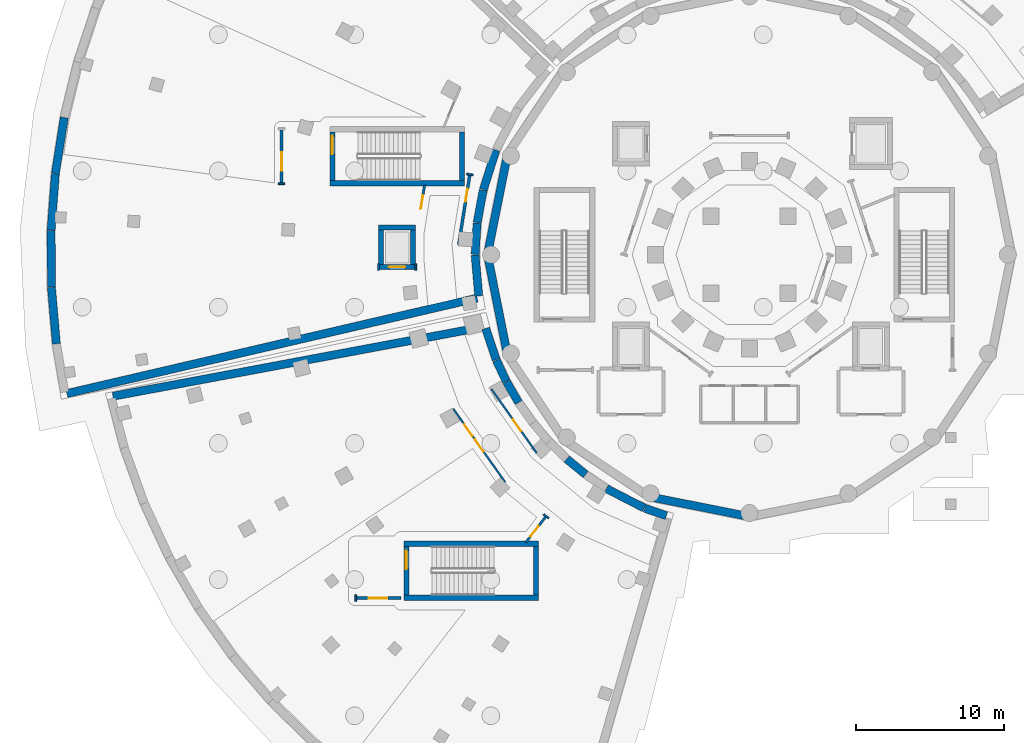
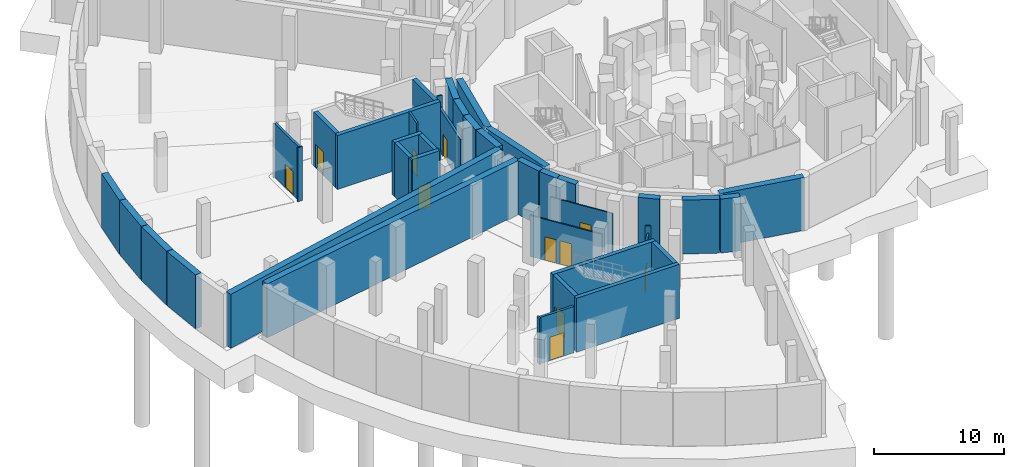
# One storey, part 8 of 33: 43 walls, 11 doors, 11 openings.
"""IFC4 building model written with IfcOpenShell, lengths in metres."""

from ifc_helpers import new_model, si_unit, direction, frame, frame_2d, origin, place, context, subcontext, project, spatial, rectangle, extrude, material, layer, layer_set, type_object, element, fill, save


model = new_model("IFC4")

# Units and contexts
model_context = context("Model", 3, precision=1e-05, world=origin(), true_north=direction((0.0, 1.0)))
body_context = subcontext(model_context, "Body", "Model", "MODEL_VIEW")
ifc_project = project(units=[si_unit("LENGTHUNIT", "METRE"), si_unit("AREAUNIT", "SQUARE_METRE"), si_unit("VOLUMEUNIT", "CUBIC_METRE"), si_unit("PLANEANGLEUNIT", "RADIAN"), si_unit("MASSUNIT", "GRAM", prefix="KILO")], contexts=[model_context])

# Site, building, storey
site_placement = place(None, origin())
site = spatial("IfcSite", under=ifc_project, at=site_placement, CompositionType="ELEMENT")
building_placement = place(site_placement, origin())
building = spatial("IfcBuilding", under=site, at=building_placement, Name="Soyqirgoq Riverine Aquarium", CompositionType="ELEMENT")
storey_placement = place(building_placement, frame((0.0, 0.0, -5.39990234375)))
storey = spatial("IfcBuildingStorey", under=building, at=storey_placement, Name="B01", CompositionType="ELEMENT", Elevation=-5.39990234375)

# Walls
ifc_material_1 = material(Name="Concrete C40/50", Category="concrete")
ifc_layer_1 = layer(ifc_material_1, 0.35009765625)
ifc_layer_set_1 = layer_set([ifc_layer_1], Name="Concrete C40/50")
wall_type_1 = type_object("IfcWallType", Name="CoreShearWall_350_C40", PredefinedType="SHEAR", material=ifc_layer_set_1)
wall_1_placement = place(storey_placement, frame((32.64990234375, 33.824951171875, 0.0), z_axis=(0.0, 0.0, 1.0), x_axis=(1.0, 0.0, 0.0)))
element("IfcWall", 1, at=wall_1_placement, inside=storey, type_object=wall_type_1, Name="CORE-2 B01 Stair Core Shear Wall SIDE1", PredefinedType="SHEAR", context=body_context, shape_type="SweptSolid", body=[
    extrude(rectangle(XDim=9.10009765625, YDim=0.35009765625, at=frame_2d((4.550048828125, 0.0))), origin(), (0.0, 0.0, 1.0), 5.0498046875),
])
wall_2_placement = place(storey_placement, frame((41.574951171875, 34.0, 0.0), z_axis=(0.0, 0.0, 1.0), x_axis=(0.0, 1.0, 0.0)))
element("IfcWall", 2, at=wall_2_placement, inside=storey, type_object=wall_type_1, Name="CORE-2 B01 Stair Core Shear Wall BACK", PredefinedType="SHEAR", context=body_context, shape_type="SweptSolid", body=[
    extrude(rectangle(XDim=3.300048828125, YDim=0.35009765625, at=frame_2d((1.64990234375, 0.0))), origin(), (0.0, 0.0, 1.0), 5.0498046875),
])
wall_3_placement = place(storey_placement, frame((41.75, 37.47509765625, 0.0), z_axis=(0.0, 0.0, 1.0), x_axis=(-1.0, 0.0, 0.0)))
element("IfcWall", 3, at=wall_3_placement, inside=storey, type_object=wall_type_1, Name="CORE-2 B01 Stair Core Shear Wall SIDE2", PredefinedType="SHEAR", context=body_context, shape_type="SweptSolid", body=[
    extrude(rectangle(XDim=9.10009765625, YDim=0.35009765625, at=frame_2d((4.550048828125, 0.0))), origin(), (0.0, 0.0, 1.0), 5.0498046875),
])

# Wall, opening, door
wall_4_placement = place(storey_placement, frame((32.824951171875, 37.300048828125, 0.0), z_axis=(0.0, 0.0, 1.0), x_axis=(0.0, -1.0, 0.0)))
wall_4 = element("IfcWall", 4, at=wall_4_placement, inside=storey, type_object=wall_type_1, Name="CORE-2 B01 Stair Core Shear Wall FRONT", PredefinedType="SHEAR", context=body_context, shape_type="SweptSolid", body=[
    extrude(rectangle(XDim=3.300048828125, YDim=0.35009765625, at=frame_2d((1.64990234375, 0.0))), origin(), (0.0, 0.0, 1.0), 5.0498046875),
])
opening_1_placement = place(wall_4_placement, frame((0.280029296875, 0.0, 0.0)))
opening_1 = element("IfcOpeningElement", 5, at=opening_1_placement, cuts=wall_4, Name="Opening FD-01", PredefinedType="OPENING", context=body_context, shape_type="SweptSolid", body=[
    extrude(rectangle(XDim=1.25, YDim=2.199951171875, at=frame_2d((0.625, 1.10009765625))), frame((0.0, 0.18505859375, 0.0), z_axis=(0.0, -1.0, 0.0), x_axis=(1.0, 0.0, 0.0)), (0.0, 0.0, 1.0), 0.3701171875),
])
ifc_material_2 = material(Name="Galvanised steel fire-resisting stair door", Category="steel")
door_type_1 = type_object("IfcDoorType", Name="StairFireDoor_1250x2200_EI90", OperationType="NOTDEFINED", PredefinedType="DOOR", material=ifc_material_2)
door_1_placement = place(opening_1_placement, origin())
door_1 = element("IfcDoor", 6, at=door_1_placement, inside=storey, type_object=door_type_1, Name="DR-ST-2-B01 ST-2 B01 Fire-Rated Stairwell Door", OperationType="SINGLE_SWING_LEFT", OverallHeight=2.199951171875, OverallWidth=1.25, PredefinedType="DOOR", context=body_context, shape_type="SweptSolid", body=[
    extrude(rectangle(XDim=1.25, YDim=2.199951171875, at=frame_2d((0.625, 1.10009765625))), frame((0.0, 0.02490234375, 0.0), z_axis=(0.0, -1.0, 0.0), x_axis=(1.0, 0.0, 0.0)), (0.0, 0.0, 1.0), 0.050048828125),
])
fill(opening_1, door_1)

# Walls
wall_5_placement = place(storey_placement, frame((27.64990234375, 61.824951171875, 0.0), z_axis=(0.0, 0.0, 1.0), x_axis=(1.0, 0.0, 0.0)))
element("IfcWall", 7, at=wall_5_placement, inside=storey, type_object=wall_type_1, Name="CORE-3 B01 Stair Core Shear Wall SIDE1", PredefinedType="SHEAR", context=body_context, shape_type="SweptSolid", body=[
    extrude(rectangle(XDim=9.10009765625, YDim=0.35009765625, at=frame_2d((4.550048828125, 0.0))), origin(), (0.0, 0.0, 1.0), 5.0498046875),
])
wall_6_placement = place(storey_placement, frame((36.574951171875, 62.0, 0.0), z_axis=(0.0, 0.0, 1.0), x_axis=(0.0, 1.0, 0.0)))
element("IfcWall", 8, at=wall_6_placement, inside=storey, type_object=wall_type_1, Name="CORE-3 B01 Stair Core Shear Wall BACK", PredefinedType="SHEAR", context=body_context, shape_type="SweptSolid", body=[
    extrude(rectangle(XDim=3.300048828125, YDim=0.35009765625, at=frame_2d((1.64990234375, 0.0))), origin(), (0.0, 0.0, 1.0), 5.0498046875),
])

# Wall, opening, door
wall_7_placement = place(storey_placement, frame((27.824951171875, 65.300048828125, 0.0), z_axis=(0.0, 0.0, 1.0), x_axis=(0.0, -1.0, 0.0)))
wall_7 = element("IfcWall", 9, at=wall_7_placement, inside=storey, type_object=wall_type_1, Name="CORE-3 B01 Stair Core Shear Wall FRONT", PredefinedType="SHEAR", context=body_context, shape_type="SweptSolid", body=[
    extrude(rectangle(XDim=3.300048828125, YDim=0.35009765625, at=frame_2d((1.64990234375, 0.0))), origin(), (0.0, 0.0, 1.0), 5.0498046875),
])
opening_2_placement = place(wall_7_placement, frame((0.280029296875, 0.0, 0.0)))
opening_2 = element("IfcOpeningElement", 10, at=opening_2_placement, cuts=wall_7, Name="Opening FD-01", PredefinedType="OPENING", context=body_context, shape_type="SweptSolid", body=[
    extrude(rectangle(XDim=1.25, YDim=2.199951171875, at=frame_2d((0.625, 1.10009765625))), frame((0.0, 0.18505859375, 0.0), z_axis=(0.0, -1.0, 0.0), x_axis=(1.0, 0.0, 0.0)), (0.0, 0.0, 1.0), 0.3701171875),
])
door_2_placement = place(opening_2_placement, origin())
door_2 = element("IfcDoor", 11, at=door_2_placement, inside=storey, type_object=door_type_1, Name="DR-ST-3-B01 ST-3 B01 Fire-Rated Stairwell Door", OperationType="SINGLE_SWING_LEFT", OverallHeight=2.199951171875, OverallWidth=1.25, PredefinedType="DOOR", context=body_context, shape_type="SweptSolid", body=[
    extrude(rectangle(XDim=1.25, YDim=2.199951171875, at=frame_2d((0.625, 1.10009765625))), frame((0.0, 0.02490234375, 0.0), z_axis=(0.0, -1.0, 0.0), x_axis=(1.0, 0.0, 0.0)), (0.0, 0.0, 1.0), 0.050048828125),
])
fill(opening_2, door_2)

wall_8_placement = place(storey_placement, frame((30.945068359375, 56.169921875, 0.0), z_axis=(0.0, 0.0, 1.0), x_axis=(1.0, 0.0, 0.0)))
wall_8 = element("IfcWall", 12, at=wall_8_placement, inside=storey, type_object=wall_type_1, Name="Lift PL-2 Shaft Wall B01 1", PredefinedType="SHEAR", context=body_context, shape_type="SweptSolid", body=[
    extrude(rectangle(XDim=2.510009765625, YDim=0.35009765625, at=frame_2d((1.2548828125, 0.0))), origin(), (0.0, 0.0, 1.0), 5.0498046875),
])
opening_3_placement = place(wall_8_placement, frame((0.705078125, 0.0, 0.0)))
opening_3 = element("IfcOpeningElement", 13, at=opening_3_placement, cuts=wall_8, Name="Opening LD-01", PredefinedType="OPENING", context=body_context, shape_type="SweptSolid", body=[
    extrude(rectangle(XDim=1.10009765625, YDim=2.199951171875, at=frame_2d((0.550048828125, 1.10009765625))), frame((0.0, 0.18505859375, 0.0), z_axis=(0.0, -1.0, 0.0), x_axis=(1.0, 0.0, 0.0)), (0.0, 0.0, 1.0), 0.3701171875),
])
ifc_material_3 = material(Name="Brushed stainless steel telescopic lift landing door", Category="steel")
door_type_2 = type_object("IfcDoorType", Name="LiftLandingDoor_1100x2200", OperationType="SLIDING_TO_LEFT", PredefinedType="DOOR", material=ifc_material_3)
door_3_placement = place(opening_3_placement, origin())
door_3 = element("IfcDoor", 14, at=door_3_placement, inside=storey, type_object=door_type_2, Name="LD-PL-2-B01 Lift PL-2 B01 Sliding Landing Door", OperationType="SLIDING_TO_LEFT", OverallHeight=2.199951171875, OverallWidth=1.10009765625, PredefinedType="DOOR", context=body_context, shape_type="SweptSolid", body=[
    extrude(rectangle(XDim=1.10009765625, YDim=2.199951171875, at=frame_2d((0.550048828125, 1.10009765625))), frame((0.0, 0.02490234375, 0.0), z_axis=(0.0, -1.0, 0.0), x_axis=(1.0, 0.0, 0.0)), (0.0, 0.0, 1.0), 0.050048828125),
])
fill(opening_3, door_3)

# Walls
wall_9_placement = place(storey_placement, frame((33.280029296875, 56.344970703125, 0.0), z_axis=(0.0, 0.0, 1.0), x_axis=(0.0, 1.0, 0.0)))
element("IfcWall", 15, at=wall_9_placement, inside=storey, type_object=wall_type_1, Name="Lift PL-2 Shaft Wall B01 2", PredefinedType="SHEAR", context=body_context, shape_type="SweptSolid", body=[
    extrude(rectangle(XDim=2.31005859375, YDim=0.35009765625, at=frame_2d((1.155029296875, 0.0))), origin(), (0.0, 0.0, 1.0), 5.0498046875),
])
wall_10_placement = place(storey_placement, frame((33.455078125, 58.830078125, 0.0), z_axis=(0.0, 0.0, 1.0), x_axis=(-1.0, 0.0, 0.0)))
element("IfcWall", 16, at=wall_10_placement, inside=storey, type_object=wall_type_1, Name="Lift PL-2 Shaft Wall B01 3", PredefinedType="SHEAR", context=body_context, shape_type="SweptSolid", body=[
    extrude(rectangle(XDim=2.510009765625, YDim=0.35009765625, at=frame_2d((1.2548828125, 0.0))), origin(), (0.0, 0.0, 1.0), 5.0498046875),
])
wall_11_placement = place(storey_placement, frame((31.1201171875, 58.655029296875, 0.0), z_axis=(0.0, 0.0, 1.0), x_axis=(0.0, -1.0, 0.0)))
element("IfcWall", 17, at=wall_11_placement, inside=storey, type_object=wall_type_1, Name="Lift PL-2 Shaft Wall B01 4", PredefinedType="SHEAR", context=body_context, shape_type="SweptSolid", body=[
    extrude(rectangle(XDim=2.31005859375, YDim=0.35009765625, at=frame_2d((1.155029296875, 0.0))), origin(), (0.0, 0.0, 1.0), 5.0498046875),
])

# Wall, openings, doors
ifc_material_4 = material(Name="Lightweight steel-stud gypsum partition", Category="steel")
ifc_layer_2 = layer(ifc_material_4, 0.1201171875)
ifc_layer_set_2 = layer_set([ifc_layer_2], Name="Lightweight steel-stud gypsum partition")
wall_type_2 = type_object("IfcWallType", Name="PartitionWall_120_Std", PredefinedType="PARTITIONING", material=ifc_layer_set_2)
wall_12_placement = place(storey_placement, frame((35.997802734375, 46.587646484375, 0.0), z_axis=(0.0, 0.0, 1.0), x_axis=(0.577152747175, -0.816636214253, 0.0)))
wall_12 = element("IfcWall", 18, at=wall_12_placement, inside=storey, type_object=wall_type_2, Name="V2 Gallery Circulation Corridor Partition Wall", PredefinedType="PARTITIONING", context=body_context, shape_type="SweptSolid", body=[
    extrude(rectangle(XDim=6.08203125, YDim=0.1201171875, at=frame_2d((3.041015625, 0.0))), origin(), (0.0, 0.0, 1.0), 3.83984375),
])
opening_4_placement = place(wall_12_placement, frame((2.541015625, 0.0, 0.0)))
opening_4 = element("IfcOpeningElement", 19, at=opening_4_placement, cuts=wall_12, Name="Opening ID-03", PredefinedType="OPENING", context=body_context, shape_type="SweptSolid", body=[
    extrude(rectangle(XDim=1.0, YDim=2.199951171875, at=frame_2d((0.5, 1.10009765625))), frame((0.0, 0.070068359375, 0.0), z_axis=(0.0, -1.0, 0.0), x_axis=(1.0, 0.0, 0.0)), (0.0, 0.0, 1.0), 0.14013671875),
])
opening_5_placement = place(wall_12_placement, frame((1.282958984375, 0.0, 0.0)))
opening_5 = element("IfcOpeningElement", 20, at=opening_5_placement, cuts=wall_12, Name="Opening ID-06", PredefinedType="OPENING", context=body_context, shape_type="SweptSolid", body=[
    extrude(rectangle(XDim=0.949951171875, YDim=2.199951171875, at=frame_2d((0.47509765625, 1.10009765625))), frame((0.0, 0.070068359375, 0.0), z_axis=(0.0, -1.0, 0.0), x_axis=(1.0, 0.0, 0.0)), (0.0, 0.0, 1.0), 0.14013671875),
])
ifc_material_5 = material(Name="Solid-core ash veneer room door", Category="wood")
door_type_3 = type_object("IfcDoorType", Name="RoomDoor_1000x2200", OperationType="NOTDEFINED", PredefinedType="DOOR", material=ifc_material_5)
door_4_placement = place(opening_4_placement, origin())
door_4 = element("IfcDoor", 21, at=door_4_placement, inside=storey, type_object=door_type_3, Name="IDR-V2-B01-0076 V2 Gallery Circulation Corridor Door", OperationType="SINGLE_SWING_LEFT", OverallHeight=2.199951171875, OverallWidth=1.0, PredefinedType="DOOR", context=body_context, shape_type="SweptSolid", body=[
    extrude(rectangle(XDim=1.0, YDim=2.199951171875, at=frame_2d((0.5, 1.10009765625))), frame((0.0, 0.02490234375, 0.0), z_axis=(0.0, -1.0, 0.0), x_axis=(1.0, 0.0, 0.0)), (0.0, 0.0, 1.0), 0.050048828125),
])
fill(opening_4, door_4)
ifc_material_6 = material(Name="Moisture-resistant HPL washroom door", Category="wood")
door_type_4 = type_object("IfcDoorType", Name="WCDoor_950x2200", OperationType="NOTDEFINED", PredefinedType="DOOR", material=ifc_material_6)
door_5_placement = place(opening_5_placement, origin())
door_5 = element("IfcDoor", 22, at=door_5_placement, inside=storey, type_object=door_type_4, Name="IDR-V2-B01-0079 Visitor Records Office Access Door", OperationType="SINGLE_SWING_RIGHT", OverallHeight=2.199951171875, OverallWidth=0.949951171875, PredefinedType="DOOR", context=body_context, shape_type="SweptSolid", body=[
    extrude(rectangle(XDim=0.949951171875, YDim=2.199951171875, at=frame_2d((0.47509765625, 1.10009765625))), frame((0.0, 0.02490234375, 0.0), z_axis=(0.0, -1.0, 0.0), x_axis=(1.0, 0.0, 0.0)), (0.0, 0.0, 1.0), 0.050048828125),
])
fill(opening_5, door_5)

# Wall, opening, door
wall_13_placement = place(storey_placement, frame((41.62890625, 43.5986328125, 0.0), z_axis=(0.0, 0.0, 1.0), x_axis=(-0.577138892994, 0.816646005436, 0.0)))
wall_13 = element("IfcWall", 23, at=wall_13_placement, inside=storey, type_object=wall_type_2, Name="V2 Gallery Circulation Corridor Partition Wall", PredefinedType="PARTITIONING", context=body_context, shape_type="SweptSolid", body=[
    extrude(rectangle(XDim=5.299560546875, YDim=0.1201171875, at=frame_2d((2.64990234375, 0.0))), origin(), (0.0, 0.0, 1.0), 3.83984375),
])
opening_6_placement = place(wall_13_placement, frame((1.826904296875, 0.0, 0.0)))
opening_6 = element("IfcOpeningElement", 24, at=opening_6_placement, cuts=wall_13, Name="Opening ID-06", PredefinedType="OPENING", context=body_context, shape_type="SweptSolid", body=[
    extrude(rectangle(XDim=0.949951171875, YDim=2.199951171875, at=frame_2d((0.47509765625, 1.10009765625))), frame((0.0, 0.070068359375, 0.0), z_axis=(0.0, -1.0, 0.0), x_axis=(1.0, 0.0, 0.0)), (0.0, 0.0, 1.0), 0.14013671875),
])
door_6_placement = place(opening_6_placement, origin())
door_6 = element("IfcDoor", 25, at=door_6_placement, inside=storey, type_object=door_type_4, Name="IDR-V2-B01-0077 Visitor Records Office Door", OperationType="SINGLE_SWING_RIGHT", OverallHeight=2.199951171875, OverallWidth=0.949951171875, PredefinedType="DOOR", context=body_context, shape_type="SweptSolid", body=[
    extrude(rectangle(XDim=0.949951171875, YDim=2.199951171875, at=frame_2d((0.47509765625, 1.10009765625))), frame((0.0, 0.02490234375, 0.0), z_axis=(0.0, -1.0, 0.0), x_axis=(1.0, 0.0, 0.0)), (0.0, 0.0, 1.0), 0.050048828125),
])
fill(opening_6, door_6)

# Walls
wall_14_placement = place(storey_placement, frame((29.39990234375, 33.580078125, 0.0), z_axis=(0.0, 0.0, 1.0), x_axis=(0.0, 1.0, 0.0)))
element("IfcWall", 26, at=wall_14_placement, inside=storey, type_object=wall_type_2, Name="V2 B01 Jamb Return Pier", PredefinedType="PARTITIONING", context=body_context, shape_type="SweptSolid", body=[
    extrude(rectangle(XDim=0.43994140625, YDim=0.1201171875, at=frame_2d((0.219970703125, 0.0))), origin(), (0.0, 0.0, 1.0), 4.33984375),
])
for number, where, z_axis, x_axis, name in (
    (27, (42.434814453125, 39.19873046875, 0.0), (0.0, 0.0, 1.0), (-0.791529082718, 0.611131500752, 0.0), "V2 B01 Jamb Return Pier"),
    (28, (30.945068359375, 55.949951171875, 0.0), (0.0, 0.0, 1.0), (0.0, 1.0, 0.0), "V3 B01 Jamb Return Pier"),
    (29, (33.455078125, 55.949951171875, 0.0), (0.0, 0.0, 1.0), (0.0, 1.0, 0.0), "V3 B01 Jamb Return Pier"),
):
    element("IfcWall", number, at=place(storey_placement, frame(where, z_axis=z_axis, x_axis=x_axis)), inside=storey, type_object=wall_type_2, Name=name, PredefinedType="PARTITIONING", context=body_context, shape_type="SweptSolid", body=[
        extrude(rectangle(XDim=0.43994140625, YDim=0.1201171875, at=frame_2d((0.219970703125, 0.0))), origin(), (0.0, 0.0, 1.0), 5.0498046875),
    ])
for number, where, z_axis, x_axis, name in (
    (30, (24.179931640625, 61.800048828125, 0.0), (0.0, 0.0, 1.0), (1.0, 0.0, 0.0), "V3 B01 Jamb Return Pier"),
    (31, (37.32861328125, 62.3818359375, 0.0), (0.0, 0.0, 1.0), (-0.987695424831, 0.156389730378, 0.0), "V3 B01 Jamb Return Pier"),
):
    element("IfcWall", number, at=place(storey_placement, frame(where, z_axis=z_axis, x_axis=x_axis)), inside=storey, type_object=wall_type_2, Name=name, PredefinedType="PARTITIONING", context=body_context, shape_type="SweptSolid", body=[
        extrude(rectangle(XDim=0.440185546875, YDim=0.1201171875, at=frame_2d((0.22021484375, 0.0))), origin(), (0.0, 0.0, 1.0), 5.0498046875),
    ])

# Wall, opening, door
ifc_material_7 = material(Name="Fire-rated acoustic gypsum stud partition", Category="gypsum")
ifc_layer_3 = layer(ifc_material_7, 0.159912109375)
ifc_layer_set_3 = layer_set([ifc_layer_3], Name="Fire-rated acoustic gypsum stud partition")
wall_type_3 = type_object("IfcWallType", Name="PartitionWall_160_EI60", PredefinedType="PARTITIONING", material=ifc_layer_set_3)
wall_15_placement = place(storey_placement, frame((40.899658203125, 37.570068359375, 0.0), z_axis=(0.0, 0.0, 1.0), x_axis=(0.611113633037, 0.791542877876, 0.0)))
wall_15 = element("IfcWall", 32, at=wall_15_placement, inside=storey, type_object=wall_type_3, Name="Aquarium Retail Archive Partition Wall", PredefinedType="PARTITIONING", context=body_context, shape_type="SweptSolid", body=[
    extrude(rectangle(XDim=2.227294921875, YDim=0.159912109375, at=frame_2d((1.11376953125, 0.0))), origin(), (0.0, 0.0, 1.0), 4.389892578125),
])
opening_7_placement = place(wall_15_placement, frame((0.499755859375, 0.0, 0.0)))
opening_7 = element("IfcOpeningElement", 33, at=opening_7_placement, cuts=wall_15, Name="Opening RD-01", PredefinedType="OPENING", context=body_context, shape_type="SweptSolid", body=[
    extrude(rectangle(XDim=0.89990234375, YDim=2.10009765625, at=frame_2d((0.449951171875, 1.050048828125))), frame((0.0, 0.08984375, 0.0), z_axis=(0.0, -1.0, 0.0), x_axis=(1.0, 0.0, 0.0)), (0.0, 0.0, 1.0), 0.179931640625),
])
ifc_material_8 = material(Name="Flush steel service riser fire door", Category="steel")
door_type_5 = type_object("IfcDoorType", Name="RiserAccessDoor_900x2100_EI60", OperationType="NOTDEFINED", PredefinedType="DOOR", material=ifc_material_8)
door_7_placement = place(opening_7_placement, origin())
door_7 = element("IfcDoor", 34, at=door_7_placement, inside=storey, type_object=door_type_5, Name="IDR-V2-B01-0078 Catering Prep Kitchen Door", OperationType="SINGLE_SWING_LEFT", OverallHeight=2.10009765625, OverallWidth=0.89990234375, PredefinedType="DOOR", context=body_context, shape_type="SweptSolid", body=[
    extrude(rectangle(XDim=0.89990234375, YDim=2.10009765625, at=frame_2d((0.449951171875, 1.050048828125))), frame((0.0, 0.02490234375, 0.0), z_axis=(0.0, -1.0, 0.0), x_axis=(1.0, 0.0, 0.0)), (0.0, 0.0, 1.0), 0.050048828125),
])
fill(opening_7, door_7)

wall_16_placement = place(storey_placement, frame((33.794921875, 60.06982421875, 0.0), z_axis=(0.0, 0.0, 1.0), x_axis=(0.156461874538, 0.987683998967, 0.0)))
wall_16 = element("IfcWall", 35, at=wall_16_placement, inside=storey, type_object=wall_type_3, Name="Exhibit Carpentry Workshop Partition Wall", PredefinedType="PARTITIONING", context=body_context, shape_type="SweptSolid", body=[
    extrude(rectangle(XDim=1.6572265625, YDim=0.159912109375, at=frame_2d((0.82861328125, 0.0))), origin(), (0.0, 0.0, 1.0), 5.0498046875),
])
opening_8_placement = place(wall_16_placement, frame((0.039794921875, 0.0, 0.0)))
opening_8 = element("IfcOpeningElement", 36, at=opening_8_placement, cuts=wall_16, Name="Opening RD-01", PredefinedType="OPENING", context=body_context, shape_type="SweptSolid", body=[
    extrude(rectangle(XDim=0.89990234375, YDim=2.10009765625, at=frame_2d((0.449951171875, 1.050048828125))), frame((0.0, 0.08984375, 0.0), z_axis=(0.0, -1.0, 0.0), x_axis=(1.0, 0.0, 0.0)), (0.0, 0.0, 1.0), 0.179931640625),
])
door_8_placement = place(opening_8_placement, origin())
door_8 = element("IfcDoor", 37, at=door_8_placement, inside=storey, type_object=door_type_5, Name="IDR-V3-B01-0090 V3 Gallery Circulation Corridor Door", OperationType="SINGLE_SWING_RIGHT", OverallHeight=2.10009765625, OverallWidth=0.89990234375, PredefinedType="DOOR", context=body_context, shape_type="SweptSolid", body=[
    extrude(rectangle(XDim=0.89990234375, YDim=2.10009765625, at=frame_2d((0.449951171875, 1.050048828125))), frame((0.0, 0.02490234375, 0.0), z_axis=(0.0, -1.0, 0.0), x_axis=(1.0, 0.0, 0.0)), (0.0, 0.0, 1.0), 0.050048828125),
])
fill(opening_8, door_8)

ifc_material_9 = material(Name="Fire-rated calcium silicate twin-stud partition", Category="gypsum")
ifc_layer_4 = layer(ifc_material_9, 0.199951171875)
ifc_layer_set_4 = layer_set([ifc_layer_4], Name="Fire-rated calcium silicate twin-stud partition")
wall_type_4 = type_object("IfcWallType", Name="PartitionWall_200_EI90", PredefinedType="PARTITIONING", material=ifc_layer_set_4)
wall_17_placement = place(storey_placement, frame((29.39990234375, 33.800048828125, 0.0), z_axis=(0.0, 0.0, 1.0), x_axis=(1.0, 0.0, 0.0)))
wall_17 = element("IfcWall", 38, at=wall_17_placement, inside=storey, type_object=wall_type_4, Name="Lift and Stair Lobby ST-2 Fire Enclosure Wall", PredefinedType="PARTITIONING", context=body_context, shape_type="SweptSolid", body=[
    extrude(rectangle(XDim=3.050048828125, YDim=0.199951171875, at=frame_2d((1.52490234375, 0.0))), origin(), (0.0, 0.0, 1.0), 4.33984375),
])
opening_9_placement = place(wall_17_placement, frame((0.89990234375, 0.0, 0.0)))
opening_9 = element("IfcOpeningElement", 39, at=opening_9_placement, cuts=wall_17, Name="Opening FD-01", PredefinedType="OPENING", context=body_context, shape_type="SweptSolid", body=[
    extrude(rectangle(XDim=1.25, YDim=2.199951171875, at=frame_2d((0.625, 1.10009765625))), frame((0.0, 0.10986328125, 0.0), z_axis=(0.0, -1.0, 0.0), x_axis=(1.0, 0.0, 0.0)), (0.0, 0.0, 1.0), 0.219970703125),
])
door_9_placement = place(opening_9_placement, origin())
door_9 = element("IfcDoor", 40, at=door_9_placement, inside=storey, type_object=door_type_1, Name="IDR-V2-B01-0075 Lift and Stair Lobby ST-2 Egress Fire Door", OperationType="SINGLE_SWING_LEFT", OverallHeight=2.199951171875, OverallWidth=1.25, PredefinedType="DOOR", context=body_context, shape_type="SweptSolid", body=[
    extrude(rectangle(XDim=1.25, YDim=2.199951171875, at=frame_2d((0.625, 1.10009765625))), frame((0.0, 0.02490234375, 0.0), z_axis=(0.0, -1.0, 0.0), x_axis=(1.0, 0.0, 0.0)), (0.0, 0.0, 1.0), 0.050048828125),
])
fill(opening_9, door_9)

wall_18_placement = place(storey_placement, frame((24.39990234375, 65.5, 0.0), z_axis=(0.0, 0.0, 1.0), x_axis=(0.0, -1.0, 0.0)))
wall_18 = element("IfcWall", 41, at=wall_18_placement, inside=storey, type_object=wall_type_4, Name="Lift and Stair Lobby ST-3 Fire Enclosure Wall", PredefinedType="PARTITIONING", context=body_context, shape_type="SweptSolid", body=[
    extrude(rectangle(XDim=3.699951171875, YDim=0.199951171875, at=frame_2d((1.85009765625, 0.0))), origin(), (0.0, 0.0, 1.0), 5.0498046875),
])
opening_10_placement = place(wall_18_placement, frame((1.592529296875, 0.0, 0.0)))
opening_10 = element("IfcOpeningElement", 42, at=opening_10_placement, cuts=wall_18, Name="Opening FD-01", PredefinedType="OPENING", context=body_context, shape_type="SweptSolid", body=[
    extrude(rectangle(XDim=1.25, YDim=2.199951171875, at=frame_2d((0.625, 1.10009765625))), frame((0.0, 0.10986328125, 0.0), z_axis=(0.0, -1.0, 0.0), x_axis=(1.0, 0.0, 0.0)), (0.0, 0.0, 1.0), 0.219970703125),
])
door_10_placement = place(opening_10_placement, origin())
door_10 = element("IfcDoor", 43, at=door_10_placement, inside=storey, type_object=door_type_1, Name="IDR-V3-B01-0088 Lift and Stair Lobby ST-3 Egress Fire Door", OperationType="SINGLE_SWING_LEFT", OverallHeight=2.199951171875, OverallWidth=1.25, PredefinedType="DOOR", context=body_context, shape_type="SweptSolid", body=[
    extrude(rectangle(XDim=1.25, YDim=2.199951171875, at=frame_2d((0.625, 1.10009765625))), frame((0.0, 0.02490234375, 0.0), z_axis=(0.0, -1.0, 0.0), x_axis=(1.0, 0.0, 0.0)), (0.0, 0.0, 1.0), 0.050048828125),
])
fill(opening_10, door_10)

wall_19_placement = place(storey_placement, frame((36.362060546875, 57.685791015625, 0.0), z_axis=(0.0, 0.0, 1.0), x_axis=(0.156391852422, 0.987695088829, 0.0)))
wall_19 = element("IfcWall", 44, at=wall_19_placement, inside=storey, type_object=wall_type_4, Name="V3 Gallery Circulation Corridor Partition Wall", PredefinedType="PARTITIONING", context=body_context, shape_type="SweptSolid", body=[
    extrude(rectangle(XDim=4.789306640625, YDim=0.199951171875, at=frame_2d((2.39453125, 0.0))), origin(), (0.0, 0.0, 1.0), 4.039794921875),
])
opening_11_placement = place(wall_19_placement, frame((2.9169921875, 0.0, 0.0)))
opening_11 = element("IfcOpeningElement", 45, at=opening_11_placement, cuts=wall_19, Name="Opening RD-01", PredefinedType="OPENING", context=body_context, shape_type="SweptSolid", body=[
    extrude(rectangle(XDim=0.89990234375, YDim=2.10009765625, at=frame_2d((0.449951171875, 1.050048828125))), frame((0.0, 0.10986328125, 0.0), z_axis=(0.0, -1.0, 0.0), x_axis=(1.0, 0.0, 0.0)), (0.0, 0.0, 1.0), 0.219970703125),
])
door_11_placement = place(opening_11_placement, origin())
door_11 = element("IfcDoor", 46, at=door_11_placement, inside=storey, type_object=door_type_5, Name="IDR-V3-B01-0089 Freshwater Life Support Plant Door", OperationType="SINGLE_SWING_LEFT", OverallHeight=2.10009765625, OverallWidth=0.89990234375, PredefinedType="DOOR", context=body_context, shape_type="SweptSolid", body=[
    extrude(rectangle(XDim=0.89990234375, YDim=2.10009765625, at=frame_2d((0.449951171875, 1.050048828125))), frame((0.0, 0.02490234375, 0.0), z_axis=(0.0, -1.0, 0.0), x_axis=(1.0, 0.0, 0.0)), (0.0, 0.0, 1.0), 0.050048828125),
])
fill(opening_11, door_11)

# Walls
ifc_material_10 = material(Name="Concrete C35/45", Category="concrete")
ifc_layer_5 = layer(ifc_material_10, 0.550048828125)
ifc_layer_set_5 = layer_set([ifc_layer_5], Name="Concrete C35/45")
wall_type_5 = type_object("IfcWallType", Name="RetainingWall_550_C35", PredefinedType="USERDEFINED", material=ifc_layer_set_5)
for number, where, z_axis, x_axis, name in (
    (47, (55.97314453125, 39.311279296875, 0.0), (0.0, 0.0, 1.0), (-0.980785783672, 0.195087791897, 0.0), "V1 B01 Perimeter Retaining Wall 005"),
    (48, (39.6474609375, 50.255615234375, 0.0), (0.0, 0.0, 1.0), (-0.195087791897, 0.980785783672, 0.0), "V1 B01 Perimeter Retaining Wall 008"),
    (49, (38.311279296875, 57.02685546875, 0.0), (0.0, 0.0, 1.0), (0.195087791897, 0.980785783672, 0.0), "V1 B01 Perimeter Retaining Wall 009"),
):
    element("IfcWall", number, at=place(storey_placement, frame(where, z_axis=z_axis, x_axis=x_axis)), inside=storey, type_object=wall_type_5, Name=name, ObjectType="RETAININGWALL", PredefinedType="USERDEFINED", context=body_context, shape_type="SweptSolid", body=[
        extrude(rectangle(XDim=6.84912109375, YDim=0.550048828125, at=frame_2d((3.424560546875, 0.0))), origin(), (0.0, 0.0, 1.0), 4.949951171875),
    ])
wall_20_placement = place(storey_placement, frame((38.18408203125, 52.029052734375, 0.0), z_axis=(0.0, 0.0, 1.0), x_axis=(0.314589942791, -0.949227669158, 0.0)))
element("IfcWall", 50, at=wall_20_placement, inside=storey, type_object=wall_type_5, Name="V2 B01 Perimeter Retaining Wall 017", ObjectType="RETAININGWALL", PredefinedType="USERDEFINED", context=body_context, shape_type="SweptSolid", body=[
    extrude(rectangle(XDim=2.236572265625, YDim=0.550048828125, at=frame_2d((1.1181640625, 0.0))), origin(), (0.0, 0.0, 1.0), 5.0498046875),
])
wall_21_placement = place(storey_placement, frame((38.89990234375, 49.875, 0.0), z_axis=(0.0, 0.0, 1.0), x_axis=(0.426322633193, -0.904571175988, 0.0)))
element("IfcWall", 51, at=wall_21_placement, inside=storey, type_object=wall_type_5, Name="V2 B01 Perimeter Retaining Wall 018", ObjectType="RETAININGWALL", PredefinedType="USERDEFINED", context=body_context, shape_type="SweptSolid", body=[
    extrude(rectangle(XDim=1.565673828125, YDim=0.550048828125, at=frame_2d((0.78271484375, 0.0))), origin(), (0.0, 0.0, 1.0), 5.0498046875),
])
wall_22_placement = place(storey_placement, frame((39.578125, 48.43798828125, 0.0), z_axis=(0.0, 0.0, 1.0), x_axis=(0.50127608365, -0.865287401943, 0.0)))
element("IfcWall", 52, at=wall_22_placement, inside=storey, type_object=wall_type_5, Name="V2 B01 Perimeter Retaining Wall 019", ObjectType="RETAININGWALL", PredefinedType="USERDEFINED", context=body_context, shape_type="SweptSolid", body=[
    extrude(rectangle(XDim=1.645263671875, YDim=0.550048828125, at=frame_2d((0.82275390625, 0.0))), origin(), (0.0, 0.0, 1.0), 5.0498046875),
])
wall_23_placement = place(storey_placement, frame((43.6572265625, 43.19287109375, 0.0), z_axis=(0.0, 0.0, 1.0), x_axis=(0.77442666571, -0.632663685884, 0.0)))
element("IfcWall", 53, at=wall_23_placement, inside=storey, type_object=wall_type_5, Name="V2 B01 Perimeter Retaining Wall 023", ObjectType="RETAININGWALL", PredefinedType="USERDEFINED", context=body_context, shape_type="SweptSolid", body=[
    extrude(rectangle(XDim=1.644775390625, YDim=0.550048828125, at=frame_2d((0.822265625, 0.0))), origin(), (0.0, 0.0, 1.0), 5.0498046875),
])
wall_24_placement = place(storey_placement, frame((46.337890625, 41.201416015625, 0.0), z_axis=(0.0, 0.0, 1.0), x_axis=(0.889475476104, -0.45698290713, 0.0)))
element("IfcWall", 54, at=wall_24_placement, inside=storey, type_object=wall_type_5, Name="V2 B01 Perimeter Retaining Wall 025", ObjectType="RETAININGWALL", PredefinedType="USERDEFINED", context=body_context, shape_type="SweptSolid", body=[
    extrude(rectangle(XDim=2.87109375, YDim=0.550048828125, at=frame_2d((1.435546875, 0.0))), origin(), (0.0, 0.0, 1.0), 5.0498046875),
])
wall_25_placement = place(storey_placement, frame((48.92724609375, 39.8740234375, 0.0), z_axis=(0.0, 0.0, 1.0), x_axis=(0.945072731994, -0.326860109589, 0.0)))
element("IfcWall", 55, at=wall_25_placement, inside=storey, type_object=wall_type_5, Name="V2 B01 Perimeter Retaining Wall 026", ObjectType="RETAININGWALL", PredefinedType="USERDEFINED", context=body_context, shape_type="SweptSolid", body=[
    extrude(rectangle(XDim=1.540283203125, YDim=0.550048828125, at=frame_2d((0.77001953125, 0.0))), origin(), (0.0, 0.0, 1.0), 5.0498046875),
])
wall_26_placement = place(storey_placement, frame((13.004638671875, 47.4384765625, 0.0), z_axis=(0.0, 0.0, 1.0), x_axis=(0.982940190373, 0.183925479879, 0.0)))
element("IfcWall", 56, at=wall_26_placement, inside=storey, type_object=wall_type_5, Name="V2 B01 Perimeter Retaining Wall 040", ObjectType="RETAININGWALL", PredefinedType="USERDEFINED", context=body_context, shape_type="SweptSolid", body=[
    extrude(rectangle(XDim=25.4580078125, YDim=0.550048828125, at=frame_2d((12.72900390625, 0.0))), origin(), (0.0, 0.0, 1.0), 5.0498046875),
])
wall_27_placement = place(storey_placement, frame((38.873046875, 64.067626953125, 0.0), z_axis=(0.0, 0.0, 1.0), x_axis=(-0.302016698146, -0.953302635075, 0.0)))
element("IfcWall", 57, at=wall_27_placement, inside=storey, type_object=wall_type_5, Name="V3 B01 Perimeter Retaining Wall 042", ObjectType="RETAININGWALL", PredefinedType="USERDEFINED", context=body_context, shape_type="SweptSolid", body=[
    extrude(rectangle(XDim=2.810791015625, YDim=0.550048828125, at=frame_2d((1.4052734375, 0.0))), origin(), (0.0, 0.0, 1.0), 5.0498046875),
])
wall_28_placement = place(storey_placement, frame((38.015869140625, 61.355712890625, 0.0), z_axis=(0.0, 0.0, 1.0), x_axis=(-0.183196231413, -0.983076365699, 0.0)))
element("IfcWall", 58, at=wall_28_placement, inside=storey, type_object=wall_type_5, Name="V3 B01 Perimeter Retaining Wall 043", ObjectType="RETAININGWALL", PredefinedType="USERDEFINED", context=body_context, shape_type="SweptSolid", body=[
    extrude(rectangle(XDim=2.226806640625, YDim=0.550048828125, at=frame_2d((1.11328125, 0.0))), origin(), (0.0, 0.0, 1.0), 5.0498046875),
])
wall_29_placement = place(storey_placement, frame((37.60400390625, 59.13330078125, 0.0), z_axis=(0.0, 0.0, 1.0), x_axis=(-0.062737273154, -0.99803007698, 0.0)))
element("IfcWall", 59, at=wall_29_placement, inside=storey, type_object=wall_type_5, Name="V3 B01 Perimeter Retaining Wall 044", ObjectType="RETAININGWALL", PredefinedType="USERDEFINED", context=body_context, shape_type="SweptSolid", body=[
    extrude(rectangle(XDim=2.116943359375, YDim=0.550048828125, at=frame_2d((1.05859375, 0.0))), origin(), (0.0, 0.0, 1.0), 5.0498046875),
])
wall_30_placement = place(storey_placement, frame((37.4716796875, 56.979248046875, 0.0), z_axis=(0.0, 0.0, 1.0), x_axis=(0.086895280468, -0.996217451279, 0.0)))
element("IfcWall", 60, at=wall_30_placement, inside=storey, type_object=wall_type_5, Name="V3 B01 Perimeter Retaining Wall 045", ObjectType="RETAININGWALL", PredefinedType="USERDEFINED", context=body_context, shape_type="SweptSolid", body=[
    extrude(rectangle(XDim=2.77587890625, YDim=0.550048828125, at=frame_2d((1.387939453125, 0.0))), origin(), (0.0, 0.0, 1.0), 5.0498046875),
])
wall_31_placement = place(storey_placement, frame((37.607177734375, 54.068115234375, 0.0), z_axis=(0.0, 0.0, 1.0), x_axis=(-0.973996313939, -0.226563855092, 0.0)))
element("IfcWall", 61, at=wall_31_placement, inside=storey, type_object=wall_type_5, Name="V3 B01 Perimeter Retaining Wall 046", ObjectType="RETAININGWALL", PredefinedType="USERDEFINED", context=body_context, shape_type="SweptSolid", body=[
    extrude(rectangle(XDim=28.4501953125, YDim=0.550048828125, at=frame_2d((14.22509765625, 0.0))), origin(), (0.0, 0.0, 1.0), 5.0498046875),
])
for number, where, z_axis, x_axis, name in (
    (62, (9.185302734375, 50.986572265625, 0.0), (0.0, 0.0, 1.0), (-0.08715902352, 0.996194411056, 0.0), "V3 B01 Perimeter Retaining Wall 048"),
    (63, (8.851318359375, 54.815185546875, 0.0), (0.0, 0.0, 1.0), (-0.005814598189, 0.999983095081, 0.0), "V3 B01 Perimeter Retaining Wall 049"),
):
    element("IfcWall", number, at=place(storey_placement, frame(where, z_axis=z_axis, x_axis=x_axis)), inside=storey, type_object=wall_type_5, Name=name, ObjectType="RETAININGWALL", PredefinedType="USERDEFINED", context=body_context, shape_type="SweptSolid", body=[
        extrude(rectangle(XDim=3.82080078125, YDim=0.550048828125, at=frame_2d((1.910400390625, 0.0))), origin(), (0.0, 0.0, 1.0), 5.0498046875),
    ])
for number, where, z_axis, x_axis, name in (
    (64, (8.829833984375, 58.658447265625, 0.0), (0.0, 0.0, 1.0), (0.075587316279, 0.997139186682, 0.0), "V3 B01 Perimeter Retaining Wall 050"),
    (65, (9.12109375, 62.490478515625, 0.0), (0.0, 0.0, 1.0), (0.156415349268, 0.987691368046, 0.0), "V3 B01 Perimeter Retaining Wall 051"),
):
    element("IfcWall", number, at=place(storey_placement, frame(where, z_axis=z_axis, x_axis=x_axis)), inside=storey, type_object=wall_type_5, Name=name, ObjectType="RETAININGWALL", PredefinedType="USERDEFINED", context=body_context, shape_type="SweptSolid", body=[
        extrude(rectangle(XDim=3.821044921875, YDim=0.550048828125, at=frame_2d((1.91064453125, 0.0))), origin(), (0.0, 0.0, 1.0), 5.0498046875),
    ])

save(model, "model.ifc")
